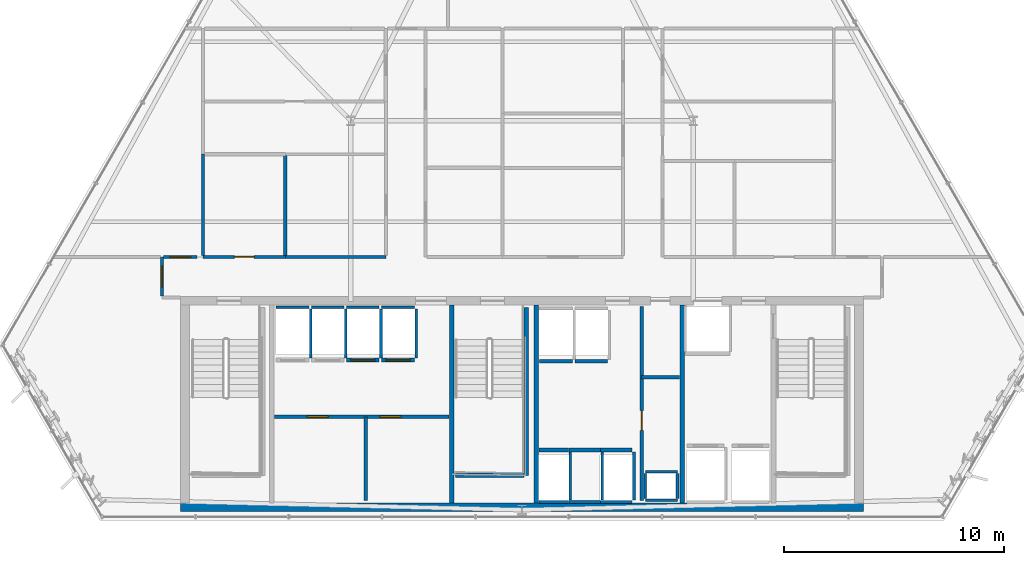
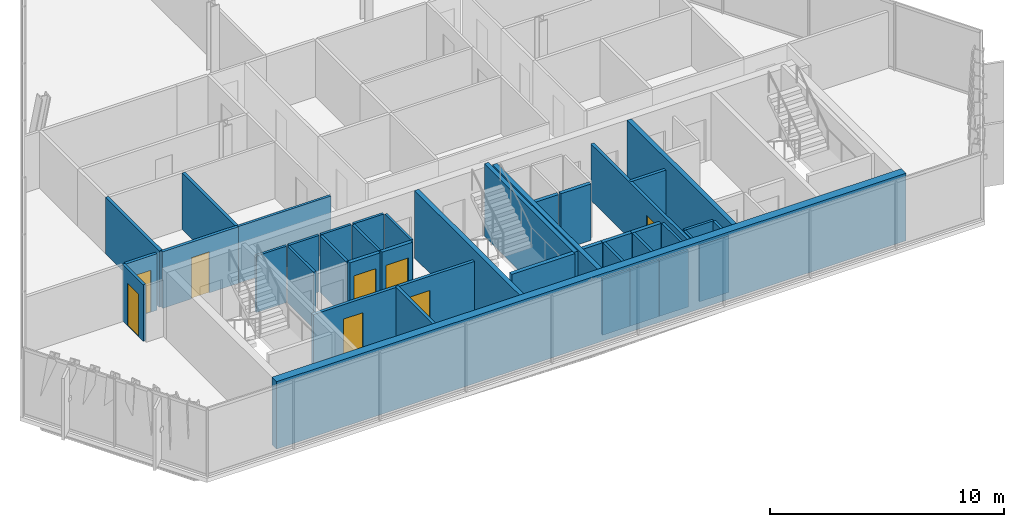
# One storey, part 27 of 34: 41 walls, 8 doors, 8 openings.
"""IFC4 building model written with IfcOpenShell, lengths in metres."""

from ifc_helpers import new_model, si_unit, direction, frame, frame_2d, origin, place, context, subcontext, project, spatial, rectangle, extrude, material, layer, layer_set, type_object, element, fill, save


model = new_model("IFC4")

# Units and contexts
model_context = context("Model", 3, precision=1e-05, world=origin(), true_north=direction((0.0, 1.0)))
body_context = subcontext(model_context, "Body", "Model", "MODEL_VIEW")
ifc_project = project(units=[si_unit("LENGTHUNIT", "METRE"), si_unit("AREAUNIT", "SQUARE_METRE"), si_unit("VOLUMEUNIT", "CUBIC_METRE"), si_unit("PLANEANGLEUNIT", "RADIAN"), si_unit("MASSUNIT", "GRAM", prefix="KILO")], contexts=[model_context])

# Site, building, storey
site_placement = place(None, origin())
site = spatial("IfcSite", under=ifc_project, at=site_placement, CompositionType="ELEMENT")
building_placement = place(site_placement, origin())
building = spatial("IfcBuilding", under=site, at=building_placement, Name="Ndaravel Arena Tower", CompositionType="ELEMENT")
storey_placement = place(building_placement, frame((0.0, 0.0, 199.199951171875)))
storey = spatial("IfcBuildingStorey", under=building, at=storey_placement, Name="L48", CompositionType="ELEMENT", Elevation=199.199951171875)

# Wall, opening, door
ifc_material_1 = material(Name="Gypsum", Category="gypsum")
ifc_layer_1 = layer(ifc_material_1, 0.14990234375)
ifc_layer_set_1 = layer_set([ifc_layer_1], Name="Gypsum")
wall_type_1 = type_object("IfcWallType", Name="WALL-COMP-150", PredefinedType="PARTITIONING", material=ifc_layer_set_1)
wall_1_placement = place(storey_placement, frame((47.449951171875, 5.89990234375, 0.0), z_axis=(0.0, 0.0, 1.0), x_axis=(0.0, 1.0, 0.0)))
wall_1 = element("IfcWall", 1, at=wall_1_placement, inside=storey, type_object=wall_type_1, Name="L48 Core Riser Bay Partition", PredefinedType="PARTITIONING", context=body_context, shape_type="SweptSolid", body=[
    extrude(rectangle(XDim=8.85009765625, YDim=0.14990234375, at=frame_2d((4.425048828125, 0.0))), origin(), (0.0, 0.0, 1.0), 2.950439453125),
])
opening_1_placement = place(wall_1_placement, frame((3.199951171875, 0.0, 0.0)))
opening_1 = element("IfcOpeningElement", 2, at=opening_1_placement, cuts=wall_1, Name="Opening RD-01", PredefinedType="OPENING", context=body_context, shape_type="SweptSolid", body=[
    extrude(rectangle(XDim=0.89990234375, YDim=2.10009765625, at=frame_2d((0.449951171875, 1.050048828125))), frame((0.0, 0.074951171875, 0.0), z_axis=(0.0, -1.0, 0.0), x_axis=(1.0, 0.0, 0.0)), (0.0, 0.0, 1.0), 0.14990234375),
])
ifc_material_2 = material(Name="Steel S355", Category="steel")
door_type_1 = type_object("IfcDoorType", Name="DT-08-RISER-900", OperationType="SINGLE_SWING_LEFT", PredefinedType="DOOR", material=ifc_material_2)
door_1_placement = place(opening_1_placement, origin())
door_1 = element("IfcDoor", 3, at=door_1_placement, inside=storey, type_object=door_type_1, Name="L48 Sub-Metering Closet Door", OperationType="SINGLE_SWING_LEFT", OverallHeight=2.10009765625, OverallWidth=0.89990234375, PredefinedType="DOOR", context=body_context, shape_type="SweptSolid", body=[
    extrude(rectangle(XDim=0.89990234375, YDim=2.10009765625, at=frame_2d((0.449951171875, 1.050048828125))), frame((0.0, 0.02490234375, 0.0), z_axis=(0.0, -1.0, 0.0), x_axis=(1.0, 0.0, 0.0)), (0.0, 0.0, 1.0), 0.050048828125),
])
fill(opening_1, door_1)

# Wall
wall_2_placement = place(storey_placement, frame((47.449951171875, 11.52001953125, 0.0), z_axis=(0.0, 0.0, 1.0), x_axis=(1.0, 0.0, 0.0)))
element("IfcWall", 4, at=wall_2_placement, inside=storey, type_object=wall_type_1, Name="L48 Core Riser Divider 1", PredefinedType="PARTITIONING", context=body_context, shape_type="SweptSolid", body=[
    extrude(rectangle(XDim=1.72998046875, YDim=0.14990234375, at=frame_2d((0.864990234375, 0.0))), origin(), (0.0, 0.0, 1.0), 2.950439453125),
])

# Wall, openings, doors
wall_3_placement = place(storey_placement, frame((30.719970703125, 9.719970703125, 0.0), z_axis=(0.0, 0.0, 1.0), x_axis=(1.0, 0.0, 0.0)))
wall_3 = element("IfcWall", 5, at=wall_3_placement, inside=storey, type_object=wall_type_1, Name="L48 Reclaimed Shaft Partition", PredefinedType="PARTITIONING", context=body_context, shape_type="SweptSolid", body=[
    extrude(rectangle(XDim=7.9599609375, YDim=0.14990234375, at=frame_2d((3.97998046875, 0.0))), origin(), (0.0, 0.0, 1.0), 2.950439453125),
])
opening_2_placement = place(wall_3_placement, frame((1.5, 0.0, 0.0)))
opening_2 = element("IfcOpeningElement", 6, at=opening_2_placement, cuts=wall_3, Name="Opening FD-03", PredefinedType="OPENING", context=body_context, shape_type="SweptSolid", body=[
    extrude(rectangle(XDim=0.949951171875, YDim=2.199951171875, at=frame_2d((0.47509765625, 1.10009765625))), frame((0.0, 0.074951171875, 0.0), z_axis=(0.0, -1.0, 0.0), x_axis=(1.0, 0.0, 0.0)), (0.0, 0.0, 1.0), 0.14990234375),
])
opening_3_placement = place(wall_3_placement, frame((4.81005859375, 0.0, 0.0)))
opening_3 = element("IfcOpeningElement", 7, at=opening_3_placement, cuts=wall_3, Name="Opening FD-03", PredefinedType="OPENING", context=body_context, shape_type="SweptSolid", body=[
    extrude(rectangle(XDim=0.949951171875, YDim=2.199951171875, at=frame_2d((0.47509765625, 1.10009765625))), frame((0.0, 0.074951171875, 0.0), z_axis=(0.0, -1.0, 0.0), x_axis=(1.0, 0.0, 0.0)), (0.0, 0.0, 1.0), 0.14990234375),
])
ifc_material_3 = material(Name="Steel S355", Category="steel")
door_type_2 = type_object("IfcDoorType", Name="DT-11-CORE-950", OperationType="SINGLE_SWING_LEFT", PredefinedType="DOOR", material=ifc_material_3)
door_2_placement = place(opening_2_placement, origin())
door_2 = element("IfcDoor", 8, at=door_2_placement, inside=storey, type_object=door_type_2, Name="L48 ICT Server Room Door", OperationType="SINGLE_SWING_LEFT", OverallHeight=2.199951171875, OverallWidth=0.949951171875, PredefinedType="DOOR", context=body_context, shape_type="SweptSolid", body=[
    extrude(rectangle(XDim=0.949951171875, YDim=2.199951171875, at=frame_2d((0.47509765625, 1.10009765625))), frame((0.0, 0.02490234375, 0.0), z_axis=(0.0, -1.0, 0.0), x_axis=(1.0, 0.0, 0.0)), (0.0, 0.0, 1.0), 0.050048828125),
])
fill(opening_2, door_2)
door_3_placement = place(opening_3_placement, origin())
door_3 = element("IfcDoor", 9, at=door_3_placement, inside=storey, type_object=door_type_2, Name="L48 Core Archive Room Door", OperationType="SINGLE_SWING_RIGHT", OverallHeight=2.199951171875, OverallWidth=0.949951171875, PredefinedType="DOOR", context=body_context, shape_type="SweptSolid", body=[
    extrude(rectangle(XDim=0.949951171875, YDim=2.199951171875, at=frame_2d((0.47509765625, 1.10009765625))), frame((0.0, 0.02490234375, 0.0), z_axis=(0.0, -1.0, 0.0), x_axis=(1.0, 0.0, 0.0)), (0.0, 0.0, 1.0), 0.050048828125),
])
fill(opening_3, door_3)

# Walls
wall_4_placement = place(storey_placement, frame((34.8798828125, 5.89990234375, 0.0), z_axis=(0.0, 0.0, 1.0), x_axis=(0.0, 1.0, 0.0)))
element("IfcWall", 10, at=wall_4_placement, inside=storey, type_object=wall_type_1, Name="L48 Reclaimed Bay Divider", PredefinedType="PARTITIONING", context=body_context, shape_type="SweptSolid", body=[
    extrude(rectangle(XDim=3.820068359375, YDim=0.14990234375, at=frame_2d((1.91015625, 0.0))), origin(), (0.0, 0.0, 1.0), 2.950439453125),
])
ifc_material_4 = material(Name="Concrete C50/60", Category="concrete")
ifc_layer_2 = layer(ifc_material_4, 0.219970703125)
ifc_layer_set_2 = layer_set([ifc_layer_2], Name="Concrete C50/60")
wall_type_2 = type_object("IfcWallType", Name="WALL-CORE-220", PredefinedType="SOLIDWALL", material=ifc_layer_set_2)
for number, where, z_axis, x_axis, name in (
    (11, (38.800048828125, 5.800048828125, 0.0), (0.0, 0.0, 1.0), (0.0, 1.0, 0.0), "L48 Core Web Shear Wall 2"),
    (12, (42.64990234375, 5.800048828125, 0.0), (0.0, 0.0, 1.0), (0.0, 1.0, 0.0), "L48 Core Web Shear Wall 3"),
    (13, (49.300048828125, 5.800048828125, 0.0), (0.0, 0.0, 1.0), (0.0, 1.0, 0.0), "L48 Core Web Shear Wall 4"),
):
    element("IfcWall", number, at=place(storey_placement, frame(where, z_axis=z_axis, x_axis=x_axis)), inside=storey, type_object=wall_type_2, Name=name, PredefinedType="SOLIDWALL", context=body_context, shape_type="SweptSolid", body=[
        extrude(rectangle(XDim=9.0, YDim=0.219970703125, at=frame_2d((4.5, 0.0))), origin(), (0.0, 0.0, 1.0), 3.52001953125),
    ])
ifc_material_5 = material(Name="Concrete C50/60", Category="concrete")
ifc_layer_3 = layer(ifc_material_5, 0.39990234375)
ifc_layer_set_3 = layer_set([ifc_layer_3], Name="Concrete C50/60")
wall_type_3 = type_object("IfcWallType", Name="WALL-CORE-400", PredefinedType="SOLIDWALL", material=ifc_layer_set_3)
wall_5_placement = place(storey_placement, frame((26.449951171875, 5.60009765625, 0.0), z_axis=(0.0, 0.0, 1.0), x_axis=(1.0, 0.0, 0.0)))
element("IfcWall", 14, at=wall_5_placement, inside=storey, type_object=wall_type_3, Name="L48 Core South Shear Wall", PredefinedType="SOLIDWALL", context=body_context, shape_type="SweptSolid", body=[
    extrude(rectangle(XDim=31.10009765625, YDim=0.39990234375, at=frame_2d((15.550048828125, 0.0))), origin(), (0.0, 0.0, 1.0), 3.52001953125),
])

# Wall, opening, door
ifc_material_6 = material(Name="Gypsum", Category="gypsum")
ifc_layer_4 = layer(ifc_material_6, 0.125)
ifc_layer_set_4 = layer_set([ifc_layer_4], Name="Gypsum")
wall_type_4 = type_object("IfcWallType", Name="WALL-PART-125", PredefinedType="PARTITIONING", material=ifc_layer_set_4)
wall_6_placement = place(storey_placement, frame((25.60009765625, 15.215087890625, 0.0), z_axis=(0.0, 0.0, 1.0), x_axis=(0.0, 1.0, 0.0)))
wall_6 = element("IfcWall", 15, at=wall_6_placement, inside=storey, type_object=wall_type_4, Name="L48 Interior Partition 004", PredefinedType="PARTITIONING", context=body_context, shape_type="SweptSolid", body=[
    extrude(rectangle(XDim=1.784912109375, YDim=0.125, at=frame_2d((0.892578125, 0.0))), origin(), (0.0, 0.0, 1.0), 2.950439453125),
])
opening_4_placement = place(wall_6_placement, frame((0.41748046875, 0.0, 0.0)))
opening_4 = element("IfcOpeningElement", 16, at=opening_4_placement, cuts=wall_6, Name="Opening ID-01", PredefinedType="OPENING", context=body_context, shape_type="SweptSolid", body=[
    extrude(rectangle(XDim=0.949951171875, YDim=2.199951171875, at=frame_2d((0.47509765625, 1.10009765625))), frame((0.0, 0.0625, 0.0), z_axis=(0.0, -1.0, 0.0), x_axis=(1.0, 0.0, 0.0)), (0.0, 0.0, 1.0), 0.125),
])
ifc_material_7 = material(Name="Timber", Category="wood")
door_type_3 = type_object("IfcDoorType", Name="DT-03-OFFICE-950", OperationType="SINGLE_SWING_LEFT", PredefinedType="DOOR", material=ifc_material_7)
door_4_placement = place(opening_4_placement, origin())
door_4 = element("IfcDoor", 17, at=door_4_placement, inside=storey, type_object=door_type_3, Name="L48 Collaborative Lounge Door", OperationType="SINGLE_SWING_LEFT", OverallHeight=2.199951171875, OverallWidth=0.949951171875, PredefinedType="DOOR", context=body_context, shape_type="SweptSolid", body=[
    extrude(rectangle(XDim=0.949951171875, YDim=2.199951171875, at=frame_2d((0.47509765625, 1.10009765625))), frame((0.0, 0.02490234375, 0.0), z_axis=(0.0, -1.0, 0.0), x_axis=(1.0, 0.0, 0.0)), (0.0, 0.0, 1.0), 0.050048828125),
])
fill(opening_4, door_4)

# Walls
wall_7_placement = place(storey_placement, frame((31.220458984375, 17.0, 0.0), z_axis=(0.0, 0.0, 1.0), x_axis=(1.0, 0.0, 0.0)))
element("IfcWall", 18, at=wall_7_placement, inside=storey, type_object=wall_type_4, Name="L48 Interior Partition 007", PredefinedType="PARTITIONING", context=body_context, shape_type="SweptSolid", body=[
    extrude(rectangle(XDim=4.57958984375, YDim=0.125, at=frame_2d((2.289794921875, 0.0))), origin(), (0.0, 0.0, 1.0), 2.950439453125),
])
ifc_material_8 = material(Name="Concrete C40/50", Category="concrete")
ifc_layer_5 = layer(ifc_material_8, 0.1201171875)
ifc_layer_set_5 = layer_set([ifc_layer_5], Name="Concrete C40/50")
wall_type_5 = type_object("IfcWallType", Name="WALL-SHAFT-120", PredefinedType="SOLIDWALL", material=ifc_layer_set_5)
for number, where, z_axis, x_axis, name in (
    (19, (47.6201171875, 5.919921875, 0.0), (0.0, 0.0, 1.0), (1.0, 0.0, 0.0), "L48 MEP Riser Shaft S Wall"),
    (20, (47.6201171875, 7.219970703125, 0.0), (0.0, 0.0, 1.0), (1.0, 0.0, 0.0), "L48 MEP Riser Shaft N Wall"),
):
    element("IfcWall", number, at=place(storey_placement, frame(where, z_axis=z_axis, x_axis=x_axis)), inside=storey, type_object=wall_type_5, Name=name, PredefinedType="SOLIDWALL", context=body_context, shape_type="SweptSolid", body=[
        extrude(rectangle(XDim=1.4599609375, YDim=0.1201171875, at=frame_2d((0.72998046875, 0.0))), origin(), (0.0, 0.0, 1.0), 2.950439453125),
    ])
for number, where, z_axis, x_axis, name in (
    (21, (47.6201171875, 6.0, 0.0), (0.0, 0.0, 1.0), (0.0, 1.0, 0.0), "L48 MEP Riser Shaft W Wall"),
    (22, (49.080078125, 6.0, 0.0), (0.0, 0.0, 1.0), (0.0, 1.0, 0.0), "L48 MEP Riser Shaft E Wall"),
):
    element("IfcWall", number, at=place(storey_placement, frame(where, z_axis=z_axis, x_axis=x_axis)), inside=storey, type_object=wall_type_5, Name=name, PredefinedType="SOLIDWALL", context=body_context, shape_type="SweptSolid", body=[
        extrude(rectangle(XDim=1.139892578125, YDim=0.1201171875, at=frame_2d((0.56982421875, 0.0))), origin(), (0.0, 0.0, 1.0), 2.950439453125),
    ])
wall_8_placement = place(storey_placement, frame((30.804931640625, 14.7099609375, 0.0), z_axis=(0.0, 0.0, 1.0), x_axis=(1.0, 0.0, 0.0)))
element("IfcWall", 23, at=wall_8_placement, inside=storey, type_object=wall_type_5, Name="L48 PL-M1 Shaft Rear Wall", PredefinedType="SOLIDWALL", context=body_context, shape_type="SweptSolid", body=[
    extrude(rectangle(XDim=1.489990234375, YDim=0.1201171875, at=frame_2d((0.7451171875, 0.0))), origin(), (0.0, 0.0, 1.0), 2.950439453125),
])
wall_9_placement = place(storey_placement, frame((32.375, 12.389892578125, 0.0), z_axis=(0.0, 0.0, 1.0), x_axis=(0.0, 1.0, 0.0)))
element("IfcWall", 24, at=wall_9_placement, inside=storey, type_object=wall_type_5, Name="L48 PL-M1 Shaft Side R Wall", PredefinedType="SOLIDWALL", context=body_context, shape_type="SweptSolid", body=[
    extrude(rectangle(XDim=2.230224609375, YDim=0.1201171875, at=frame_2d((1.115234375, 0.0))), origin(), (0.0, 0.0, 1.0), 2.950439453125),
])
wall_10_placement = place(storey_placement, frame((32.405029296875, 14.7099609375, 0.0), z_axis=(0.0, 0.0, 1.0), x_axis=(1.0, 0.0, 0.0)))
element("IfcWall", 25, at=wall_10_placement, inside=storey, type_object=wall_type_5, Name="L48 PL-M2 Shaft Rear Wall", PredefinedType="SOLIDWALL", context=body_context, shape_type="SweptSolid", body=[
    extrude(rectangle(XDim=1.489990234375, YDim=0.1201171875, at=frame_2d((0.7451171875, 0.0))), origin(), (0.0, 0.0, 1.0), 2.950439453125),
])
wall_11_placement = place(storey_placement, frame((33.97509765625, 12.389892578125, 0.0), z_axis=(0.0, 0.0, 1.0), x_axis=(0.0, 1.0, 0.0)))
element("IfcWall", 26, at=wall_11_placement, inside=storey, type_object=wall_type_5, Name="L48 PL-M2 Shaft Side R Wall", PredefinedType="SOLIDWALL", context=body_context, shape_type="SweptSolid", body=[
    extrude(rectangle(XDim=2.230224609375, YDim=0.1201171875, at=frame_2d((1.115234375, 0.0))), origin(), (0.0, 0.0, 1.0), 2.950439453125),
])
wall_12_placement = place(storey_placement, frame((34.0048828125, 14.7099609375, 0.0), z_axis=(0.0, 0.0, 1.0), x_axis=(1.0, 0.0, 0.0)))
element("IfcWall", 27, at=wall_12_placement, inside=storey, type_object=wall_type_5, Name="L48 PL-M3 Shaft Rear Wall", PredefinedType="SOLIDWALL", context=body_context, shape_type="SweptSolid", body=[
    extrude(rectangle(XDim=1.490234375, YDim=0.1201171875, at=frame_2d((0.7451171875, 0.0))), origin(), (0.0, 0.0, 1.0), 2.950439453125),
])
wall_13_placement = place(storey_placement, frame((35.574951171875, 12.389892578125, 0.0), z_axis=(0.0, 0.0, 1.0), x_axis=(0.0, 1.0, 0.0)))
element("IfcWall", 28, at=wall_13_placement, inside=storey, type_object=wall_type_5, Name="L48 PL-M3 Shaft Side R Wall", PredefinedType="SOLIDWALL", context=body_context, shape_type="SweptSolid", body=[
    extrude(rectangle(XDim=2.230224609375, YDim=0.1201171875, at=frame_2d((1.115234375, 0.0))), origin(), (0.0, 0.0, 1.0), 2.950439453125),
])
wall_14_placement = place(storey_placement, frame((35.60498046875, 14.7099609375, 0.0), z_axis=(0.0, 0.0, 1.0), x_axis=(1.0, 0.0, 0.0)))
element("IfcWall", 29, at=wall_14_placement, inside=storey, type_object=wall_type_5, Name="L48 PL-M4 Shaft Rear Wall", PredefinedType="SOLIDWALL", context=body_context, shape_type="SweptSolid", body=[
    extrude(rectangle(XDim=1.489990234375, YDim=0.1201171875, at=frame_2d((0.7451171875, 0.0))), origin(), (0.0, 0.0, 1.0), 2.950439453125),
])
wall_15_placement = place(storey_placement, frame((37.175048828125, 12.389892578125, 0.0), z_axis=(0.0, 0.0, 1.0), x_axis=(0.0, 1.0, 0.0)))
element("IfcWall", 30, at=wall_15_placement, inside=storey, type_object=wall_type_5, Name="L48 PL-M4 Shaft Side R Wall", PredefinedType="SOLIDWALL", context=body_context, shape_type="SweptSolid", body=[
    extrude(rectangle(XDim=2.230224609375, YDim=0.1201171875, at=frame_2d((1.115234375, 0.0))), origin(), (0.0, 0.0, 1.0), 2.950439453125),
])
wall_16_placement = place(storey_placement, frame((42.780029296875, 5.840087890625, 0.0), z_axis=(0.0, 0.0, 1.0), x_axis=(1.0, 0.0, 0.0)))
element("IfcWall", 31, at=wall_16_placement, inside=storey, type_object=wall_type_5, Name="L48 PL-H1 Shaft Rear Wall", PredefinedType="SOLIDWALL", context=body_context, shape_type="SweptSolid", body=[
    extrude(rectangle(XDim=1.340087890625, YDim=0.1201171875, at=frame_2d((0.669921875, 0.0))), origin(), (0.0, 0.0, 1.0), 2.950439453125),
])
wall_17_placement = place(storey_placement, frame((44.199951171875, 5.929931640625, 0.0), z_axis=(0.0, 0.0, 1.0), x_axis=(0.0, 1.0, 0.0)))
element("IfcWall", 32, at=wall_17_placement, inside=storey, type_object=wall_type_5, Name="L48 PL-H1 Shaft Side R Wall", PredefinedType="SOLIDWALL", context=body_context, shape_type="SweptSolid", body=[
    extrude(rectangle(XDim=2.18017578125, YDim=0.1201171875, at=frame_2d((1.090087890625, 0.0))), origin(), (0.0, 0.0, 1.0), 2.950439453125),
])
wall_18_placement = place(storey_placement, frame((44.1298828125, 5.840087890625, 0.0), z_axis=(0.0, 0.0, 1.0), x_axis=(1.0, 0.0, 0.0)))
element("IfcWall", 33, at=wall_18_placement, inside=storey, type_object=wall_type_5, Name="L48 PL-H2 Shaft Rear Wall", PredefinedType="SOLIDWALL", context=body_context, shape_type="SweptSolid", body=[
    extrude(rectangle(XDim=1.440185546875, YDim=0.1201171875, at=frame_2d((0.72021484375, 0.0))), origin(), (0.0, 0.0, 1.0), 2.950439453125),
])
wall_19_placement = place(storey_placement, frame((45.64990234375, 5.929931640625, 0.0), z_axis=(0.0, 0.0, 1.0), x_axis=(0.0, 1.0, 0.0)))
element("IfcWall", 34, at=wall_19_placement, inside=storey, type_object=wall_type_5, Name="L48 PL-H2 Shaft Side R Wall", PredefinedType="SOLIDWALL", context=body_context, shape_type="SweptSolid", body=[
    extrude(rectangle(XDim=2.18017578125, YDim=0.1201171875, at=frame_2d((1.090087890625, 0.0))), origin(), (0.0, 0.0, 1.0), 2.950439453125),
])
wall_20_placement = place(storey_placement, frame((45.580078125, 5.840087890625, 0.0), z_axis=(0.0, 0.0, 1.0), x_axis=(1.0, 0.0, 0.0)))
element("IfcWall", 35, at=wall_20_placement, inside=storey, type_object=wall_type_5, Name="L48 PL-H3 Shaft Rear Wall", PredefinedType="SOLIDWALL", context=body_context, shape_type="SweptSolid", body=[
    extrude(rectangle(XDim=1.43994140625, YDim=0.1201171875, at=frame_2d((0.719970703125, 0.0))), origin(), (0.0, 0.0, 1.0), 2.950439453125),
])
wall_21_placement = place(storey_placement, frame((47.10009765625, 5.929931640625, 0.0), z_axis=(0.0, 0.0, 1.0), x_axis=(0.0, 1.0, 0.0)))
element("IfcWall", 36, at=wall_21_placement, inside=storey, type_object=wall_type_5, Name="L48 PL-H3 Shaft Side R Wall", PredefinedType="SOLIDWALL", context=body_context, shape_type="SweptSolid", body=[
    extrude(rectangle(XDim=2.18017578125, YDim=0.1201171875, at=frame_2d((1.090087890625, 0.0))), origin(), (0.0, 0.0, 1.0), 2.950439453125),
])
ifc_material_9 = material(Name="Concrete C40/50", Category="concrete")
ifc_layer_6 = layer(ifc_material_9, 0.199951171875)
ifc_layer_set_6 = layer_set([ifc_layer_6], Name="Concrete C40/50")
wall_type_6 = type_object("IfcWallType", Name="WALL-SHAFT-200", PredefinedType="SOLIDWALL", material=ifc_layer_set_6)
wall_22_placement = place(storey_placement, frame((42.18994140625, 14.699951171875, 0.0), z_axis=(0.0, 0.0, 1.0), x_axis=(0.0, -1.0, 0.0)))
element("IfcWall", 37, at=wall_22_placement, inside=storey, type_object=wall_type_6, Name="L48 ST-2 Structural Shaft Wall Right", PredefinedType="SOLIDWALL", context=body_context, shape_type="SweptSolid", body=[
    extrude(rectangle(XDim=7.64990234375, YDim=0.199951171875, at=frame_2d((3.824951171875, 0.0))), origin(), (0.0, 0.0, 1.0), 3.800048828125),
])
wall_23_placement = place(storey_placement, frame((38.969970703125, 7.050048828125, 0.0), z_axis=(0.0, 0.0, 1.0), x_axis=(1.0, 0.0, 0.0)))
element("IfcWall", 38, at=wall_23_placement, inside=storey, type_object=wall_type_6, Name="L48 ST-2 Structural Shaft Wall Far", PredefinedType="SOLIDWALL", context=body_context, shape_type="SweptSolid", body=[
    extrude(rectangle(XDim=3.114990234375, YDim=0.199951171875, at=frame_2d((1.5576171875, 0.0))), origin(), (0.0, 0.0, 1.0), 3.800048828125),
])

# Wall, opening, door
wall_24_placement = place(storey_placement, frame((34.0048828125, 12.300048828125, 0.0), z_axis=(0.0, 0.0, 1.0), x_axis=(1.0, 0.0, 0.0)))
wall_24 = element("IfcWall", 39, at=wall_24_placement, inside=storey, type_object=wall_type_6, Name="L48 PL-M3 Shaft Landing Wall", PredefinedType="SOLIDWALL", context=body_context, shape_type="SweptSolid", body=[
    extrude(rectangle(XDim=1.490234375, YDim=0.179931640625, at=frame_2d((0.7451171875, 0.0))), origin(), (0.0, 0.0, 1.0), 2.950439453125),
])
opening_5_placement = place(wall_24_placement, frame((0.195068359375, 0.0, 0.0)))
opening_5 = element("IfcOpeningElement", 40, at=opening_5_placement, cuts=wall_24, Name="Opening LD-01", PredefinedType="OPENING", context=body_context, shape_type="SweptSolid", body=[
    extrude(rectangle(XDim=1.10009765625, YDim=2.199951171875, at=frame_2d((0.550048828125, 1.10009765625))), frame((0.0, 0.08984375, 0.0), z_axis=(0.0, -1.0, 0.0), x_axis=(1.0, 0.0, 0.0)), (0.0, 0.0, 1.0), 0.179931640625),
])
ifc_material_10 = material(Name="Steel S355", Category="steel")
door_type_4 = type_object("IfcDoorType", Name="DT-06-LIFT-1100", OperationType="SLIDING_TO_LEFT", PredefinedType="DOOR", material=ifc_material_10)
door_5_placement = place(opening_5_placement, origin())
door_5 = element("IfcDoor", 41, at=door_5_placement, inside=storey, type_object=door_type_4, Name="L48 Lift PL-M3 Sliding Landing Door", OperationType="SLIDING_TO_LEFT", OverallHeight=2.199951171875, OverallWidth=1.10009765625, PredefinedType="DOOR", context=body_context, shape_type="SweptSolid", body=[
    extrude(rectangle(XDim=1.10009765625, YDim=2.199951171875, at=frame_2d((0.550048828125, 1.10009765625))), frame((0.0, 0.02490234375, 0.0), z_axis=(0.0, -1.0, 0.0), x_axis=(1.0, 0.0, 0.0)), (0.0, 0.0, 1.0), 0.050048828125),
])
fill(opening_5, door_5)

wall_25_placement = place(storey_placement, frame((35.60498046875, 12.300048828125, 0.0), z_axis=(0.0, 0.0, 1.0), x_axis=(1.0, 0.0, 0.0)))
wall_25 = element("IfcWall", 42, at=wall_25_placement, inside=storey, type_object=wall_type_6, Name="L48 PL-M4 Shaft Landing Wall", PredefinedType="SOLIDWALL", context=body_context, shape_type="SweptSolid", body=[
    extrude(rectangle(XDim=1.489990234375, YDim=0.179931640625, at=frame_2d((0.7451171875, 0.0))), origin(), (0.0, 0.0, 1.0), 2.950439453125),
])
opening_6_placement = place(wall_25_placement, frame((0.195068359375, 0.0, 0.0)))
opening_6 = element("IfcOpeningElement", 43, at=opening_6_placement, cuts=wall_25, Name="Opening LD-01", PredefinedType="OPENING", context=body_context, shape_type="SweptSolid", body=[
    extrude(rectangle(XDim=1.10009765625, YDim=2.199951171875, at=frame_2d((0.550048828125, 1.10009765625))), frame((0.0, 0.08984375, 0.0), z_axis=(0.0, -1.0, 0.0), x_axis=(1.0, 0.0, 0.0)), (0.0, 0.0, 1.0), 0.179931640625),
])
door_6_placement = place(opening_6_placement, origin())
door_6 = element("IfcDoor", 44, at=door_6_placement, inside=storey, type_object=door_type_4, Name="L48 Lift PL-M4 Sliding Landing Door", OperationType="SLIDING_TO_LEFT", OverallHeight=2.199951171875, OverallWidth=1.10009765625, PredefinedType="DOOR", context=body_context, shape_type="SweptSolid", body=[
    extrude(rectangle(XDim=1.10009765625, YDim=2.199951171875, at=frame_2d((0.550048828125, 1.10009765625))), frame((0.0, 0.02490234375, 0.0), z_axis=(0.0, -1.0, 0.0), x_axis=(1.0, 0.0, 0.0)), (0.0, 0.0, 1.0), 0.050048828125),
])
fill(opening_6, door_6)

# Walls
wall_26_placement = place(storey_placement, frame((42.780029296875, 8.199951171875, 0.0), z_axis=(0.0, 0.0, 1.0), x_axis=(1.0, 0.0, 0.0)))
element("IfcWall", 45, at=wall_26_placement, inside=storey, type_object=wall_type_6, Name="L48 PL-H1 Shaft Landing Wall", PredefinedType="SOLIDWALL", context=body_context, shape_type="SweptSolid", body=[
    extrude(rectangle(XDim=1.340087890625, YDim=0.179931640625, at=frame_2d((0.669921875, 0.0))), origin(), (0.0, 0.0, 1.0), 2.950439453125),
])
wall_27_placement = place(storey_placement, frame((44.1298828125, 8.199951171875, 0.0), z_axis=(0.0, 0.0, 1.0), x_axis=(1.0, 0.0, 0.0)))
element("IfcWall", 46, at=wall_27_placement, inside=storey, type_object=wall_type_6, Name="L48 PL-H2 Shaft Landing Wall", PredefinedType="SOLIDWALL", context=body_context, shape_type="SweptSolid", body=[
    extrude(rectangle(XDim=1.440185546875, YDim=0.179931640625, at=frame_2d((0.72021484375, 0.0))), origin(), (0.0, 0.0, 1.0), 2.950439453125),
])
wall_28_placement = place(storey_placement, frame((45.580078125, 8.199951171875, 0.0), z_axis=(0.0, 0.0, 1.0), x_axis=(1.0, 0.0, 0.0)))
element("IfcWall", 47, at=wall_28_placement, inside=storey, type_object=wall_type_6, Name="L48 PL-H3 Shaft Landing Wall", PredefinedType="SOLIDWALL", context=body_context, shape_type="SweptSolid", body=[
    extrude(rectangle(XDim=1.43994140625, YDim=0.179931640625, at=frame_2d((0.719970703125, 0.0))), origin(), (0.0, 0.0, 1.0), 2.950439453125),
])
for number, where, z_axis, x_axis, name in (
    (48, (42.804931640625, 12.25, 0.0), (0.0, 0.0, 1.0), (1.0, 0.0, 0.0), "L48 PL-OBS1 Shaft Landing Wall"),
    (49, (44.405029296875, 12.25, 0.0), (0.0, 0.0, 1.0), (1.0, 0.0, 0.0), "L48 PL-OBS2 Shaft Landing Wall"),
):
    element("IfcWall", number, at=place(storey_placement, frame(where, z_axis=z_axis, x_axis=x_axis)), inside=storey, type_object=wall_type_6, Name=name, PredefinedType="SOLIDWALL", context=body_context, shape_type="SweptSolid", body=[
        extrude(rectangle(XDim=1.489990234375, YDim=0.179931640625, at=frame_2d((0.7451171875, 0.0))), origin(), (0.0, 0.0, 1.0), 2.950439453125),
    ])

# Wall, opening, door
ifc_material_11 = material(Name="Masonry", Category="masonry")
ifc_layer_7 = layer(ifc_material_11, 0.14990234375)
ifc_layer_set_7 = layer_set([ifc_layer_7], Name="Masonry")
wall_type_7 = type_object("IfcWallType", Name="WALL-WET-150", PredefinedType="PARTITIONING", material=ifc_layer_set_7)
wall_29_placement = place(storey_placement, frame((25.6650390625, 17.0, 0.0), z_axis=(0.0, 0.0, 1.0), x_axis=(1.0, 0.0, 0.0)))
wall_29 = element("IfcWall", 50, at=wall_29_placement, inside=storey, type_object=wall_type_7, Name="L48 Interior Partition 005", PredefinedType="PARTITIONING", context=body_context, shape_type="SweptSolid", body=[
    extrude(rectangle(XDim=1.534912109375, YDim=0.14990234375, at=frame_2d((0.767578125, 0.0))), origin(), (0.0, 0.0, 1.0), 2.950439453125),
])
opening_7_placement = place(wall_29_placement, frame((0.29248046875, 0.0, 0.0)))
opening_7 = element("IfcOpeningElement", 51, at=opening_7_placement, cuts=wall_29, Name="Opening FD-03", PredefinedType="OPENING", context=body_context, shape_type="SweptSolid", body=[
    extrude(rectangle(XDim=0.949951171875, YDim=2.199951171875, at=frame_2d((0.47509765625, 1.10009765625))), frame((0.0, 0.074951171875, 0.0), z_axis=(0.0, -1.0, 0.0), x_axis=(1.0, 0.0, 0.0)), (0.0, 0.0, 1.0), 0.14990234375),
])
door_7_placement = place(opening_7_placement, origin())
door_7 = element("IfcDoor", 52, at=door_7_placement, inside=storey, type_object=door_type_2, Name="L48 Catering Pantry 2 Door", OperationType="SINGLE_SWING_LEFT", OverallHeight=2.199951171875, OverallWidth=0.949951171875, PredefinedType="DOOR", context=body_context, shape_type="SweptSolid", body=[
    extrude(rectangle(XDim=0.949951171875, YDim=2.199951171875, at=frame_2d((0.47509765625, 1.10009765625))), frame((0.0, 0.02490234375, 0.0), z_axis=(0.0, -1.0, 0.0), x_axis=(1.0, 0.0, 0.0)), (0.0, 0.0, 1.0), 0.050048828125),
])
fill(opening_7, door_7)

wall_30_placement = place(storey_placement, frame((27.4736328125, 17.0, 0.0), z_axis=(0.0, 0.0, 1.0), x_axis=(1.0, 0.0, 0.0)))
wall_30 = element("IfcWall", 53, at=wall_30_placement, inside=storey, type_object=wall_type_7, Name="L48 Interior Partition 006", PredefinedType="PARTITIONING", context=body_context, shape_type="SweptSolid", body=[
    extrude(rectangle(XDim=3.746826171875, YDim=0.14990234375, at=frame_2d((1.87353515625, 0.0))), origin(), (0.0, 0.0, 1.0), 2.950439453125),
])
opening_8_placement = place(wall_30_placement, frame((1.423583984375, 0.0, 0.0)))
opening_8 = element("IfcOpeningElement", 54, at=opening_8_placement, cuts=wall_30, Name="Opening WD-01", PredefinedType="OPENING", context=body_context, shape_type="SweptSolid", body=[
    extrude(rectangle(XDim=0.89990234375, YDim=2.14990234375, at=frame_2d((0.449951171875, 1.074951171875))), frame((0.0, 0.074951171875, 0.0), z_axis=(0.0, -1.0, 0.0), x_axis=(1.0, 0.0, 0.0)), (0.0, 0.0, 1.0), 0.14990234375),
])
ifc_material_12 = material(Name="Timber", Category="wood")
door_type_5 = type_object("IfcDoorType", Name="DT-05-WC-900", OperationType="SINGLE_SWING_LEFT", PredefinedType="DOOR", material=ifc_material_12)
door_8_placement = place(opening_8_placement, origin())
door_8 = element("IfcDoor", 55, at=door_8_placement, inside=storey, type_object=door_type_5, Name="L48 Female & Accessible Restroom Door", OperationType="SINGLE_SWING_LEFT", OverallHeight=2.14990234375, OverallWidth=0.89990234375, PredefinedType="DOOR", context=body_context, shape_type="SweptSolid", body=[
    extrude(rectangle(XDim=0.89990234375, YDim=2.14990234375, at=frame_2d((0.449951171875, 1.074951171875))), frame((0.0, 0.02490234375, 0.0), z_axis=(0.0, -1.0, 0.0), x_axis=(1.0, 0.0, 0.0)), (0.0, 0.0, 1.0), 0.050048828125),
])
fill(opening_8, door_8)

# Walls
wall_31_placement = place(storey_placement, frame((27.4736328125, 17.06494140625, 0.0), z_axis=(0.0, 0.0, 1.0), x_axis=(0.0, 1.0, 0.0)))
element("IfcWall", 56, at=wall_31_placement, inside=storey, type_object=wall_type_7, Name="L48 Interior Partition 035", PredefinedType="PARTITIONING", context=body_context, shape_type="SweptSolid", body=[
    extrude(rectangle(XDim=4.614990234375, YDim=0.14990234375, at=frame_2d((2.3076171875, 0.0))), origin(), (0.0, 0.0, 1.0), 2.950439453125),
])
wall_32_placement = place(storey_placement, frame((31.220458984375, 21.614990234375, 0.0), z_axis=(0.0, 0.0, 1.0), x_axis=(0.0, -1.0, 0.0)))
element("IfcWall", 57, at=wall_32_placement, inside=storey, type_object=wall_type_7, Name="L48 Interior Partition 037", PredefinedType="PARTITIONING", context=body_context, shape_type="SweptSolid", body=[
    extrude(rectangle(XDim=4.550048828125, YDim=0.14990234375, at=frame_2d((2.27490234375, 0.0))), origin(), (0.0, 0.0, 1.0), 2.950439453125),
])

save(model, "model.ifc")
